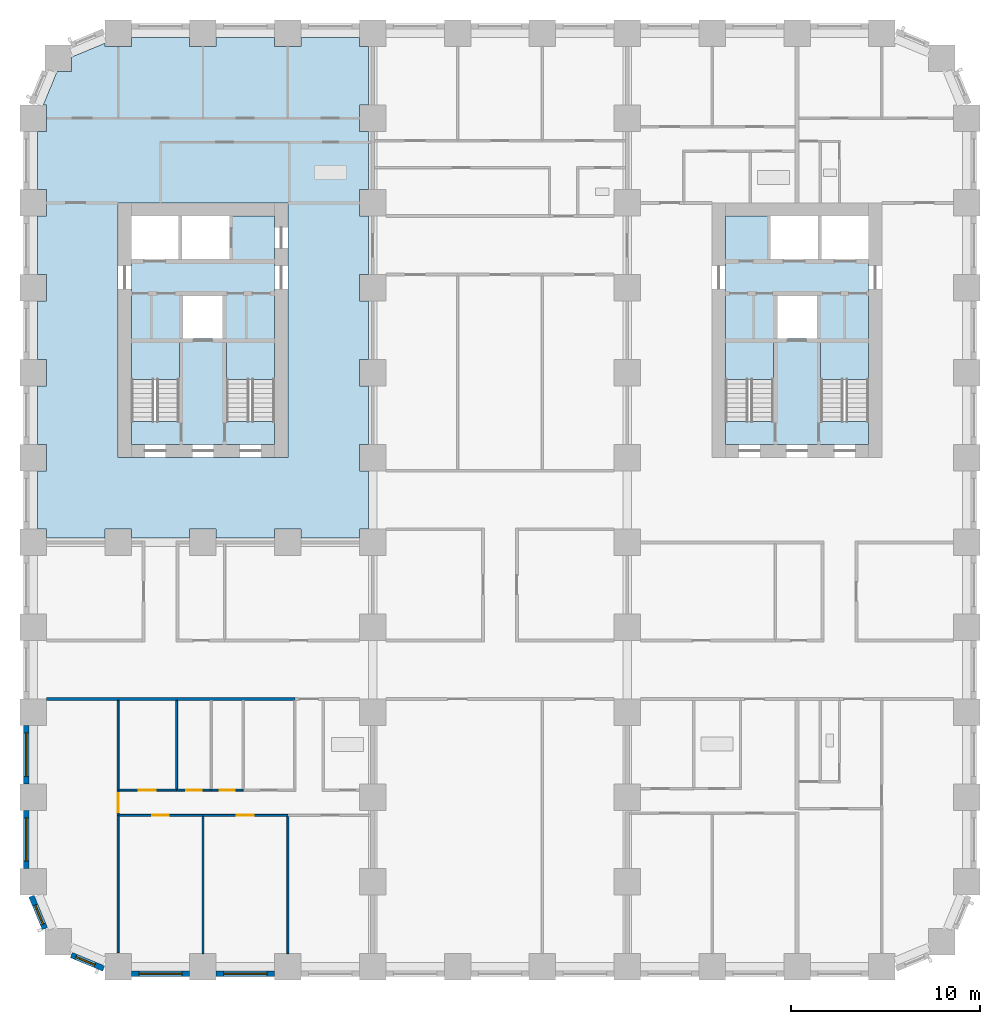
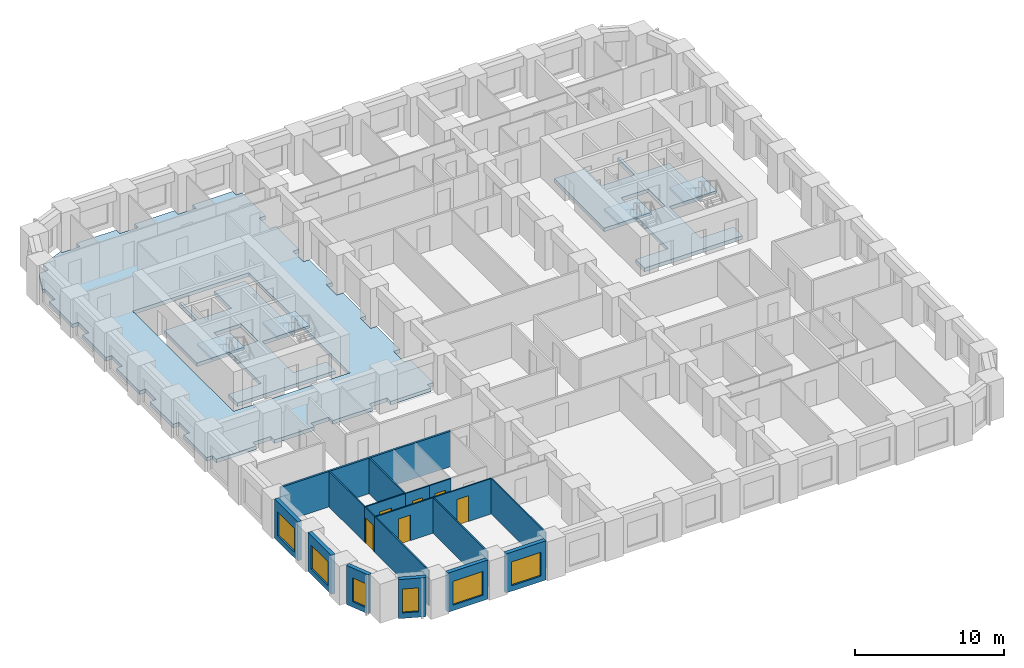
# One storey, part 2 of 13: 18 walls, 7 slabs, 6 doors, 6 windows, 12 openings, 4 elements without a shape of their own.
"""IFC4 building model written with IfcOpenShell, lengths in metres."""

from ifc_helpers import new_model, si_unit, direction, frame, frame_2d, origin, place, context, subcontext, project, spatial, polyline, rectangle, outline, extrude, material, layer, layer_set, type_object, element, fill, aggregate, save


model = new_model("IFC4")

# Units and contexts
model_context = context("Model", 3, precision=1e-05, world=origin(), true_north=direction((0.0, 1.0)))
body_context = subcontext(model_context, "Body", "Model", "MODEL_VIEW")
ifc_project = project(units=[si_unit("LENGTHUNIT", "METRE"), si_unit("AREAUNIT", "SQUARE_METRE"), si_unit("VOLUMEUNIT", "CUBIC_METRE"), si_unit("PLANEANGLEUNIT", "RADIAN"), si_unit("MASSUNIT", "GRAM", prefix="KILO")], contexts=[model_context])

# Site, building, storey
site_placement = place(None, origin())
site = spatial("IfcSite", under=ifc_project, at=site_placement, CompositionType="ELEMENT")
building_placement = place(site_placement, origin())
building = spatial("IfcBuilding", under=site, at=building_placement, Name="Girih Gate Residences", CompositionType="ELEMENT")
storey_placement = place(building_placement, frame((0.0, 0.0, 43.199951171875)))
storey = spatial("IfcBuildingStorey", under=building, at=storey_placement, Name="L10", CompositionType="ELEMENT", Elevation=43.199951171875)

# Slabs
ifc_material_1 = material(Name="Concrete C40/50", Category="concrete")
ifc_layer_1 = layer(ifc_material_1, 0.300048828125)
ifc_layer_set_1 = layer_set([ifc_layer_1], Name="Core floor slab 300")
slab_type_1 = type_object("IfcSlabType", Name="Core floor slab 300", PredefinedType="FLOOR", material=ifc_layer_set_1)
slab_1_placement = place(storey_placement, frame((0.0, 0.0, -0.300048828125)))
element("IfcSlab", 1, at=slab_1_placement, inside=storey, type_object=slab_type_1, Name="L10 W core floor", PredefinedType="FLOOR", context=body_context, shape_type="SweptSolid", body=[
    extrude(outline(polyline([(12.800048828125, 27.699951171875), (5.199951171875, 27.699951171875), (5.199951171875, 28.900634765625), (7.75, 28.900634765625), (7.75, 33.10009765625), (5.199951171875, 33.10009765625), (5.199951171875, 37.5), (7.699951171875, 37.5), (7.699951171875, 39.800048828125), (7.89990234375, 39.800048828125), (7.89990234375, 37.5), (10.39990234375, 37.5), (10.39990234375, 39.800048828125), (12.800048828125, 39.800048828125), (12.800048828125, 33.10009765625), (10.25, 33.10009765625), (10.25, 28.900634765625), (12.800048828125, 28.900634765625), (12.800048828125, 27.699951171875)]), holes=[polyline([(7.949951171875, 33.300048828125), (10.050048828125, 33.300048828125), (10.050048828125, 35.60009765625), (7.949951171875, 35.60009765625), (7.949951171875, 33.300048828125)])]), origin(), (0.0, 0.0, 1.0), 0.300048828125),
])
slab_2_placement = place(storey_placement, frame((0.0, 0.0, -0.300048828125)))
element("IfcSlab", 2, at=slab_2_placement, inside=storey, type_object=slab_type_1, Name="L10 E core floor", PredefinedType="FLOOR", context=body_context, shape_type="SweptSolid", body=[
    extrude(outline(polyline([(44.300048828125, 27.699951171875), (36.699951171875, 27.699951171875), (36.699951171875, 28.900634765625), (39.25, 28.900634765625), (39.25, 33.10009765625), (36.699951171875, 33.10009765625), (36.699951171875, 39.800048828125), (39.10009765625, 39.800048828125), (39.10009765625, 37.5), (41.60009765625, 37.5), (41.60009765625, 39.800048828125), (41.800048828125, 39.800048828125), (41.800048828125, 37.5), (44.300048828125, 37.5), (44.300048828125, 33.10009765625), (41.75, 33.10009765625), (41.75, 28.900634765625), (44.300048828125, 28.900634765625), (44.300048828125, 27.699951171875)]), holes=[polyline([(39.449951171875, 33.300048828125), (41.550048828125, 33.300048828125), (41.550048828125, 35.60009765625), (39.449951171875, 35.60009765625), (39.449951171875, 33.300048828125)])]), origin(), (0.0, 0.0, 1.0), 0.300048828125),
])
ifc_layer_2 = layer(ifc_material_1, 0.300048828125)
ifc_layer_set_2 = layer_set([ifc_layer_2], Name="Floor slab PT 300 Concrete C40/50")
slab_type_2 = type_object("IfcSlabType", Name="Floor slab PT 300 Concrete C40/50", PredefinedType="FLOOR", material=ifc_layer_set_2)
slab_3_placement = place(storey_placement, frame((0.0, 0.0, -0.300048828125)))
element("IfcSlab", 3, at=slab_3_placement, inside=storey, type_object=slab_type_2, Name="Floor slab L10 3", PredefinedType="FLOOR", context=body_context, shape_type="SweptSolid", body=[
    extrude(outline(polyline([(0.22509765625, 26.300048828125), (0.22509765625, 23.199951171875), (0.699951171875, 23.199951171875), (0.699951171875, 22.72509765625), (3.800048828125, 22.72509765625), (3.800048828125, 23.199951171875), (5.199951171875, 23.199951171875), (5.199951171875, 22.72509765625), (8.300048828125, 22.72509765625), (8.300048828125, 23.199951171875), (9.699951171875, 23.199951171875), (9.699951171875, 22.72509765625), (12.800048828125, 22.72509765625), (12.800048828125, 23.199951171875), (14.199951171875, 23.199951171875), (14.199951171875, 22.72509765625), (17.300048828125, 22.72509765625), (17.300048828125, 23.199951171875), (17.77490234375, 23.199951171875), (17.77490234375, 26.300048828125), (17.300048828125, 26.300048828125), (17.300048828125, 27.699951171875), (17.77490234375, 27.699951171875), (17.77490234375, 30.800048828125), (17.300048828125, 30.800048828125), (17.300048828125, 32.199951171875), (17.77490234375, 32.199951171875), (17.77490234375, 35.300048828125), (17.300048828125, 35.300048828125), (17.300048828125, 36.699951171875), (17.77490234375, 36.699951171875), (17.77490234375, 39.800048828125), (17.300048828125, 39.800048828125), (17.300048828125, 41.199951171875), (17.77490234375, 41.199951171875), (17.77490234375, 44.300048828125), (17.300048828125, 44.300048828125), (17.300048828125, 45.699951171875), (17.77490234375, 45.699951171875), (17.77490234375, 48.800048828125), (17.300048828125, 48.800048828125), (17.300048828125, 49.27490234375), (14.199951171875, 49.27490234375), (14.199951171875, 48.800048828125), (12.800048828125, 48.800048828125), (12.800048828125, 49.27490234375), (9.699951171875, 49.27490234375), (9.699951171875, 48.800048828125), (8.300048828125, 48.800048828125), (8.300048828125, 49.27490234375), (5.199951171875, 49.27490234375), (5.199951171875, 48.800048828125), (3.800048828125, 48.800048828125), (3.800048828125, 48.966552734375), (2.01806640625, 48.228271484375), (2.01806640625, 47.48193359375), (1.271728515625, 47.48193359375), (0.533447265625, 45.699951171875), (0.699951171875, 45.699951171875), (0.699951171875, 44.300048828125), (0.22509765625, 44.300048828125), (0.22509765625, 41.199951171875), (0.699951171875, 41.199951171875), (0.699951171875, 39.800048828125), (0.22509765625, 39.800048828125), (0.22509765625, 36.699951171875), (0.699951171875, 36.699951171875), (0.699951171875, 35.300048828125), (0.22509765625, 35.300048828125), (0.22509765625, 32.199951171875), (0.699951171875, 32.199951171875), (0.699951171875, 30.800048828125), (0.22509765625, 30.800048828125), (0.22509765625, 27.699951171875), (0.699951171875, 27.699951171875), (0.699951171875, 26.300048828125), (0.22509765625, 26.300048828125)]), holes=[polyline([(13.5, 40.5), (13.5, 27.0), (4.5, 27.0), (4.5, 40.5), (13.5, 40.5)])]), origin(), (0.0, 0.0, 1.0), 0.300048828125),
])

# Stair, slab
stair_type = type_object("IfcStairType", Name="Exit stair", PredefinedType="HALF_TURN_STAIR", material=ifc_material_1)
stair_1_placement = place(storey_placement, origin())
stair_1 = element("IfcStair", 4, at=stair_1_placement, inside=storey, type_object=stair_type, Name="L10 Exit Stair ST-W1", PredefinedType="HALF_TURN_STAIR")
ifc_layer_3 = layer(ifc_material_1, 0.199951171875)
ifc_layer_set_3 = layer_set([ifc_layer_3], Name="Stair landing 200")
slab_type_3 = type_object("IfcSlabType", Name="Stair landing 200", PredefinedType="LANDING", material=ifc_layer_set_3)
slab_4_placement = place(storey_placement, frame((0.0, 0.0, 1.400146484375)))
slab_4 = element("IfcSlab", 5, at=slab_4_placement, type_object=slab_type_3, Name="ST-W1 landing 1", PredefinedType="LANDING", context=body_context, shape_type="SweptSolid", body=[
    extrude(outline(polyline([(7.75, 31.14990234375), (7.75, 33.10009765625), (5.199951171875, 33.10009765625), (5.199951171875, 31.14990234375), (7.75, 31.14990234375)])), origin(), (0.0, 0.0, 1.0), 0.199951171875),
])
aggregate(stair_1, [slab_4])

stair_2_placement = place(storey_placement, origin())
stair_2 = element("IfcStair", 6, at=stair_2_placement, inside=storey, type_object=stair_type, Name="L10 Exit Stair ST-W2", PredefinedType="HALF_TURN_STAIR")
slab_5_placement = place(storey_placement, frame((0.0, 0.0, 1.400146484375)))
slab_5 = element("IfcSlab", 7, at=slab_5_placement, type_object=slab_type_3, Name="ST-W2 landing 1", PredefinedType="LANDING", context=body_context, shape_type="SweptSolid", body=[
    extrude(outline(polyline([(12.800048828125, 31.14990234375), (12.800048828125, 33.10009765625), (10.25, 33.10009765625), (10.25, 31.14990234375), (12.800048828125, 31.14990234375)])), origin(), (0.0, 0.0, 1.0), 0.199951171875),
])
aggregate(stair_2, [slab_5])

stair_3_placement = place(storey_placement, origin())
stair_3 = element("IfcStair", 8, at=stair_3_placement, inside=storey, type_object=stair_type, Name="L10 Exit Stair ST-E1", PredefinedType="HALF_TURN_STAIR")
slab_6_placement = place(storey_placement, frame((0.0, 0.0, 1.400146484375)))
slab_6 = element("IfcSlab", 9, at=slab_6_placement, type_object=slab_type_3, Name="ST-E1 landing 1", PredefinedType="LANDING", context=body_context, shape_type="SweptSolid", body=[
    extrude(outline(polyline([(44.300048828125, 31.14990234375), (44.300048828125, 33.10009765625), (41.75, 33.10009765625), (41.75, 31.14990234375), (44.300048828125, 31.14990234375)])), origin(), (0.0, 0.0, 1.0), 0.199951171875),
])
aggregate(stair_3, [slab_6])

stair_4_placement = place(storey_placement, origin())
stair_4 = element("IfcStair", 10, at=stair_4_placement, inside=storey, type_object=stair_type, Name="L10 Exit Stair ST-E2", PredefinedType="HALF_TURN_STAIR")
slab_7_placement = place(storey_placement, frame((0.0, 0.0, 1.400146484375)))
slab_7 = element("IfcSlab", 11, at=slab_7_placement, type_object=slab_type_3, Name="ST-E2 landing 1", PredefinedType="LANDING", context=body_context, shape_type="SweptSolid", body=[
    extrude(outline(polyline([(39.25, 31.14990234375), (39.25, 33.10009765625), (36.699951171875, 33.10009765625), (36.699951171875, 31.14990234375), (39.25, 31.14990234375)])), origin(), (0.0, 0.0, 1.0), 0.199951171875),
])
aggregate(stair_4, [slab_7])

# Walls
ifc_material_2 = material(Name="Gypsum board on steel studs", Category="steel")
ifc_layer_4 = layer(ifc_material_2, 0.14990234375)
ifc_layer_set_4 = layer_set([ifc_layer_4], Name="Compartment wall 150 mm")
wall_type_1 = type_object("IfcWallType", Name="Compartment wall 150 mm", PredefinedType="PARTITIONING", material=ifc_layer_set_4)
wall_1_placement = place(storey_placement, frame((0.699951171875, 14.199951171875, 0.0), z_axis=(0.0, 0.0, 1.0), x_axis=(1.0, 0.0, 0.0)))
element("IfcWall", 12, at=wall_1_placement, inside=storey, type_object=wall_type_1, Name="L10 partition", PredefinedType="PARTITIONING", context=body_context, shape_type="SweptSolid", body=[
    extrude(rectangle(XDim=13.175048828125, YDim=0.14990234375, at=frame_2d((6.58740234375, 0.0))), origin(), (0.0, 0.0, 1.0), 2.900146484375),
])
ifc_layer_5 = layer(ifc_material_2, 0.10009765625)
ifc_layer_set_5 = layer_set([ifc_layer_5], Name="Partition 100 mm")
wall_type_2 = type_object("IfcWallType", Name="Partition 100 mm", PredefinedType="PARTITIONING", material=ifc_layer_set_5)
wall_2_placement = place(storey_placement, frame((9.0, 0.699951171875, 0.0), z_axis=(0.0, 0.0, 1.0), x_axis=(0.0, 1.0, 0.0)))
element("IfcWall", 13, at=wall_2_placement, inside=storey, type_object=wall_type_2, Name="L10 partition", PredefinedType="PARTITIONING", context=body_context, shape_type="SweptSolid", body=[
    extrude(rectangle(XDim=7.280029296875, YDim=0.10009765625, at=frame_2d((3.64013671875, 0.0))), origin(), (0.0, 0.0, 1.0), 2.900146484375),
])

# Wall, opening, door
wall_3_placement = place(storey_placement, frame((9.0, 8.030029296875, 0.0), z_axis=(0.0, 0.0, 1.0), x_axis=(-1.0, 0.0, 0.0)))
wall_3 = element("IfcWall", 14, at=wall_3_placement, inside=storey, type_object=wall_type_2, Name="L10 partition", PredefinedType="PARTITIONING", context=body_context, shape_type="SweptSolid", body=[
    extrude(rectangle(XDim=4.449951171875, YDim=0.10009765625, at=frame_2d((2.22509765625, 0.0))), origin(), (0.0, 0.0, 1.0), 2.900146484375),
])
opening_1_placement = place(wall_3_placement, frame((1.800048828125, 0.0, 0.0)))
opening_1 = element("IfcOpeningElement", 15, at=opening_1_placement, cuts=wall_3, Name="Opening A10-002", PredefinedType="OPENING", context=body_context, shape_type="SweptSolid", body=[
    extrude(rectangle(XDim=0.89990234375, YDim=2.10009765625, at=frame_2d((0.449951171875, 1.050048828125))), frame((0.0, 0.06005859375, 0.0), z_axis=(0.0, -1.0, 0.0), x_axis=(1.0, 0.0, 0.0)), (0.0, 0.0, 1.0), 0.1201171875),
])
ifc_material_3 = material(Name="Timber", Category="wood")
door_type_1 = type_object("IfcDoorType", Name="Bedroom door 900x2100", OperationType="NOTDEFINED", PredefinedType="DOOR", material=ifc_material_3)
door_1_placement = place(opening_1_placement, origin())
door_1 = element("IfcDoor", 16, at=door_1_placement, inside=storey, type_object=door_type_1, Name="Door A10-002", OperationType="SINGLE_SWING_RIGHT", OverallHeight=2.10009765625, OverallWidth=0.89990234375, PredefinedType="DOOR", context=body_context, shape_type="SweptSolid", body=[
    extrude(rectangle(XDim=0.89990234375, YDim=2.10009765625, at=frame_2d((0.449951171875, 1.050048828125))), frame((0.0, 0.02490234375, 0.0), z_axis=(0.0, -1.0, 0.0), x_axis=(1.0, 0.0, 0.0)), (0.0, 0.0, 1.0), 0.050048828125),
])
fill(opening_1, door_1)

# Walls
wall_4_placement = place(storey_placement, frame((4.5, 0.757568359375, 0.0), z_axis=(0.0, 0.0, 1.0), x_axis=(0.0, 1.0, 0.0)))
element("IfcWall", 17, at=wall_4_placement, inside=storey, type_object=wall_type_2, Name="L10 partition", PredefinedType="PARTITIONING", context=body_context, shape_type="SweptSolid", body=[
    extrude(rectangle(XDim=7.2724609375, YDim=0.10009765625, at=frame_2d((3.63623046875, 0.0))), origin(), (0.0, 0.0, 1.0), 2.900146484375),
])
wall_5_placement = place(storey_placement, frame((13.5, 0.699951171875, 0.0), z_axis=(0.0, 0.0, 1.0), x_axis=(0.0, 1.0, 0.0)))
element("IfcWall", 18, at=wall_5_placement, inside=storey, type_object=wall_type_2, Name="L10 partition", PredefinedType="PARTITIONING", context=body_context, shape_type="SweptSolid", body=[
    extrude(rectangle(XDim=7.280029296875, YDim=0.10009765625, at=frame_2d((3.64013671875, 0.0))), origin(), (0.0, 0.0, 1.0), 2.900146484375),
])

# Wall, opening, door
wall_6_placement = place(storey_placement, frame((13.5, 8.030029296875, 0.0), z_axis=(0.0, 0.0, 1.0), x_axis=(-1.0, 0.0, 0.0)))
wall_6 = element("IfcWall", 19, at=wall_6_placement, inside=storey, type_object=wall_type_2, Name="L10 partition", PredefinedType="PARTITIONING", context=body_context, shape_type="SweptSolid", body=[
    extrude(rectangle(XDim=4.5, YDim=0.10009765625, at=frame_2d((2.25, 0.0))), origin(), (0.0, 0.0, 1.0), 2.900146484375),
])
opening_2_placement = place(wall_6_placement, frame((1.800048828125, 0.0, 0.0)))
opening_2 = element("IfcOpeningElement", 20, at=opening_2_placement, cuts=wall_6, Name="Opening A10-003", PredefinedType="OPENING", context=body_context, shape_type="SweptSolid", body=[
    extrude(rectangle(XDim=0.89990234375, YDim=2.10009765625, at=frame_2d((0.449951171875, 1.050048828125))), frame((0.0, 0.06005859375, 0.0), z_axis=(0.0, -1.0, 0.0), x_axis=(1.0, 0.0, 0.0)), (0.0, 0.0, 1.0), 0.1201171875),
])
door_2_placement = place(opening_2_placement, origin())
door_2 = element("IfcDoor", 21, at=door_2_placement, inside=storey, type_object=door_type_1, Name="Door A10-003", OperationType="SINGLE_SWING_LEFT", OverallHeight=2.10009765625, OverallWidth=0.89990234375, PredefinedType="DOOR", context=body_context, shape_type="SweptSolid", body=[
    extrude(rectangle(XDim=0.89990234375, YDim=2.10009765625, at=frame_2d((0.449951171875, 1.050048828125))), frame((0.0, 0.02490234375, 0.0), z_axis=(0.0, -1.0, 0.0), x_axis=(1.0, 0.0, 0.0)), (0.0, 0.0, 1.0), 0.050048828125),
])
fill(opening_2, door_2)

wall_7_placement = place(storey_placement, frame((4.550048828125, 9.3701171875, 0.0), z_axis=(0.0, 0.0, 1.0), x_axis=(1.0, 0.0, 0.0)))
wall_7 = element("IfcWall", 22, at=wall_7_placement, inside=storey, type_object=wall_type_2, Name="L10 partition", PredefinedType="PARTITIONING", context=body_context, shape_type="SweptSolid", body=[
    extrude(rectangle(XDim=3.056640625, YDim=0.10009765625, at=frame_2d((1.5283203125, 0.0))), origin(), (0.0, 0.0, 1.0), 2.900146484375),
])
opening_3_placement = place(wall_7_placement, frame((1.05322265625, 0.0, 0.0)))
opening_3 = element("IfcOpeningElement", 23, at=opening_3_placement, cuts=wall_7, Name="Opening A10-006", PredefinedType="OPENING", context=body_context, shape_type="SweptSolid", body=[
    extrude(rectangle(XDim=0.89990234375, YDim=2.10009765625, at=frame_2d((0.449951171875, 1.050048828125))), frame((0.0, 0.06005859375, 0.0), z_axis=(0.0, -1.0, 0.0), x_axis=(1.0, 0.0, 0.0)), (0.0, 0.0, 1.0), 0.1201171875),
])
door_type_2 = type_object("IfcDoorType", Name="Kitchen door 900x2100", OperationType="NOTDEFINED", PredefinedType="DOOR", material=ifc_material_3)
door_3_placement = place(opening_3_placement, origin())
door_3 = element("IfcDoor", 24, at=door_3_placement, inside=storey, type_object=door_type_2, Name="Door A10-006", OperationType="SINGLE_SWING_LEFT", OverallHeight=2.10009765625, OverallWidth=0.89990234375, PredefinedType="DOOR", context=body_context, shape_type="SweptSolid", body=[
    extrude(rectangle(XDim=0.89990234375, YDim=2.10009765625, at=frame_2d((0.449951171875, 1.050048828125))), frame((0.0, 0.02490234375, 0.0), z_axis=(0.0, -1.0, 0.0), x_axis=(1.0, 0.0, 0.0)), (0.0, 0.0, 1.0), 0.050048828125),
])
fill(opening_3, door_3)

wall_8_placement = place(storey_placement, frame((4.5, 8.030029296875, 0.0), z_axis=(0.0, 0.0, 1.0), x_axis=(0.0, 1.0, 0.0)))
wall_8 = element("IfcWall", 25, at=wall_8_placement, inside=storey, type_object=wall_type_2, Name="L10 partition", PredefinedType="PARTITIONING", context=body_context, shape_type="SweptSolid", body=[
    extrude(rectangle(XDim=1.340087890625, YDim=0.10009765625, at=frame_2d((0.669921875, 0.0))), origin(), (0.0, 0.0, 1.0), 2.900146484375),
])
opening_4_placement = place(wall_8_placement, frame((0.169921875, 0.0, 0.0)))
opening_4 = element("IfcOpeningElement", 26, at=opening_4_placement, cuts=wall_8, Name="Opening A10-007", PredefinedType="OPENING", context=body_context, shape_type="SweptSolid", body=[
    extrude(rectangle(XDim=1.0, YDim=2.10009765625, at=frame_2d((0.5, 1.050048828125))), frame((0.0, 0.06005859375, 0.0), z_axis=(0.0, -1.0, 0.0), x_axis=(1.0, 0.0, 0.0)), (0.0, 0.0, 1.0), 0.1201171875),
])
door_type_3 = type_object("IfcDoorType", Name="Living room door 1000x2100", OperationType="NOTDEFINED", PredefinedType="DOOR", material=ifc_material_3)
door_4_placement = place(opening_4_placement, origin())
door_4 = element("IfcDoor", 27, at=door_4_placement, inside=storey, type_object=door_type_3, Name="Door A10-007", OperationType="SINGLE_SWING_RIGHT", OverallHeight=2.10009765625, OverallWidth=1.0, PredefinedType="DOOR", context=body_context, shape_type="SweptSolid", body=[
    extrude(rectangle(XDim=1.0, YDim=2.10009765625, at=frame_2d((0.5, 1.050048828125))), frame((0.0, 0.02490234375, 0.0), z_axis=(0.0, -1.0, 0.0), x_axis=(1.0, 0.0, 0.0)), (0.0, 0.0, 1.0), 0.050048828125),
])
fill(opening_4, door_4)

wall_9_placement = place(storey_placement, frame((9.4423828125, 9.3701171875, 0.0), z_axis=(0.0, 0.0, 1.0), x_axis=(1.0, 0.0, 0.0)))
wall_9 = element("IfcWall", 28, at=wall_9_placement, inside=storey, type_object=wall_type_2, Name="L10 partition", PredefinedType="PARTITIONING", context=body_context, shape_type="SweptSolid", body=[
    extrude(rectangle(XDim=1.689453125, YDim=0.10009765625, at=frame_2d((0.8447265625, 0.0))), origin(), (0.0, 0.0, 1.0), 2.900146484375),
])
opening_5_placement = place(wall_9_placement, frame((0.44482421875, 0.0, 0.0)))
opening_5 = element("IfcOpeningElement", 29, at=opening_5_placement, cuts=wall_9, Name="Opening A10-008", PredefinedType="OPENING", context=body_context, shape_type="SweptSolid", body=[
    extrude(rectangle(XDim=0.800048828125, YDim=2.10009765625, at=frame_2d((0.39990234375, 1.050048828125))), frame((0.0, 0.06005859375, 0.0), z_axis=(0.0, -1.0, 0.0), x_axis=(1.0, 0.0, 0.0)), (0.0, 0.0, 1.0), 0.1201171875),
])
door_type_4 = type_object("IfcDoorType", Name="Store door 800x2100", OperationType="NOTDEFINED", PredefinedType="DOOR", material=ifc_material_3)
door_5_placement = place(opening_5_placement, origin())
door_5 = element("IfcDoor", 30, at=door_5_placement, inside=storey, type_object=door_type_4, Name="Door A10-008", OperationType="SINGLE_SWING_LEFT", OverallHeight=2.10009765625, OverallWidth=0.800048828125, PredefinedType="DOOR", context=body_context, shape_type="SweptSolid", body=[
    extrude(rectangle(XDim=0.800048828125, YDim=2.10009765625, at=frame_2d((0.39990234375, 1.050048828125))), frame((0.0, 0.02490234375, 0.0), z_axis=(0.0, -1.0, 0.0), x_axis=(1.0, 0.0, 0.0)), (0.0, 0.0, 1.0), 0.050048828125),
])
fill(opening_5, door_5)

wall_10_placement = place(storey_placement, frame((7.606689453125, 9.3701171875, 0.0), z_axis=(0.0, 0.0, 1.0), x_axis=(1.0, 0.0, 0.0)))
wall_10 = element("IfcWall", 31, at=wall_10_placement, inside=storey, type_object=wall_type_2, Name="L10 partition", PredefinedType="PARTITIONING", context=body_context, shape_type="SweptSolid", body=[
    extrude(rectangle(XDim=1.835693359375, YDim=0.10009765625, at=frame_2d((0.91796875, 0.0))), origin(), (0.0, 0.0, 1.0), 2.900146484375),
])
opening_6_placement = place(wall_10_placement, frame((0.517822265625, 0.0, 0.0)))
opening_6 = element("IfcOpeningElement", 32, at=opening_6_placement, cuts=wall_10, Name="Opening A10-009", PredefinedType="OPENING", context=body_context, shape_type="SweptSolid", body=[
    extrude(rectangle(XDim=0.800048828125, YDim=2.10009765625, at=frame_2d((0.39990234375, 1.050048828125))), frame((0.0, 0.06005859375, 0.0), z_axis=(0.0, -1.0, 0.0), x_axis=(1.0, 0.0, 0.0)), (0.0, 0.0, 1.0), 0.1201171875),
])
door_6_placement = place(opening_6_placement, origin())
door_6 = element("IfcDoor", 33, at=door_6_placement, inside=storey, type_object=door_type_4, Name="Door A10-009", OperationType="SINGLE_SWING_RIGHT", OverallHeight=2.10009765625, OverallWidth=0.800048828125, PredefinedType="DOOR", context=body_context, shape_type="SweptSolid", body=[
    extrude(rectangle(XDim=0.800048828125, YDim=2.10009765625, at=frame_2d((0.39990234375, 1.050048828125))), frame((0.0, 0.02490234375, 0.0), z_axis=(0.0, -1.0, 0.0), x_axis=(1.0, 0.0, 0.0)), (0.0, 0.0, 1.0), 0.050048828125),
])
fill(opening_6, door_6)

# Walls
wall_11_placement = place(storey_placement, frame((4.5, 9.3701171875, 0.0), z_axis=(0.0, 0.0, 1.0), x_axis=(0.0, 1.0, 0.0)))
element("IfcWall", 34, at=wall_11_placement, inside=storey, type_object=wall_type_2, Name="L10 partition", PredefinedType="PARTITIONING", context=body_context, shape_type="SweptSolid", body=[
    extrude(rectangle(XDim=4.7548828125, YDim=0.10009765625, at=frame_2d((2.37744140625, 0.0))), origin(), (0.0, 0.0, 1.0), 2.900146484375),
])
wall_12_placement = place(storey_placement, frame((7.60693359375, 9.419921875, 0.0), z_axis=(0.0, 0.0, 1.0), x_axis=(0.0, 1.0, 0.0)))
element("IfcWall", 35, at=wall_12_placement, inside=storey, type_object=wall_type_2, Name="L10 partition", PredefinedType="PARTITIONING", context=body_context, shape_type="SweptSolid", body=[
    extrude(rectangle(XDim=4.705078125, YDim=0.10009765625, at=frame_2d((2.3525390625, 0.0))), origin(), (0.0, 0.0, 1.0), 2.900146484375),
])

# Wall, opening, window
ifc_material_4 = material(Name="Precast concrete C50/60", Category="concrete")
ifc_layer_6 = layer(ifc_material_4, 0.080078125, Name="Outer leaf")
ifc_material_5 = material(Name="Rigid PIR insulation")
ifc_layer_7 = layer(ifc_material_5, 0.14990234375, Name="Insulation")
ifc_material_6 = material(Name="Precast concrete C40/50", Category="concrete")
ifc_layer_8 = layer(ifc_material_6, 0.070068359375, Name="Inner leaf")
ifc_layer_set_6 = layer_set([ifc_layer_6, ifc_layer_7, ifc_layer_8], Name="Precast concrete C50/60 external wall 300")
wall_type_3 = type_object("IfcWallType", Name="Precast concrete C50/60 external wall 300", PredefinedType="SOLIDWALL", material=ifc_layer_set_6)
wall_13_placement = place(storey_placement, frame((0.62158203125, 2.01953125, 0.0), z_axis=(0.0, 0.0, 1.0), x_axis=(-0.38262540684, 0.923903565336, 0.0)))
wall_13 = element("IfcWall", 36, at=wall_13_placement, inside=storey, type_object=wall_type_3, Name="External wall SW0000_0045.0", PredefinedType="SOLIDWALL", context=body_context, shape_type="SweptSolid", body=[
    extrude(rectangle(XDim=1.864990234375, YDim=0.300048828125, at=frame_2d((0.9326171875, 0.0))), origin(), (0.0, 0.0, 1.0), 3.199951171875),
])
opening_7_placement = place(wall_13_placement, frame((0.257568359375, 0.0, 0.449951171875)))
opening_7 = element("IfcOpeningElement", 37, at=opening_7_placement, cuts=wall_13, Name="Opening W-2C", PredefinedType="OPENING", context=body_context, shape_type="SweptSolid", body=[
    extrude(rectangle(XDim=1.10009765625, YDim=1.949951171875, at=frame_2d((0.550048828125, 0.97509765625))), frame((0.0, 0.159912109375, 0.0), z_axis=(0.0, -1.0, 0.0), x_axis=(1.0, 0.0, 0.0)), (0.0, 0.0, 1.0), 0.320068359375),
])
ifc_material_7 = material(Name="Double glazing in aluminium frame", Category="aluminium")
window_type_1 = type_object("IfcWindowType", Name="Window W-2C 1100x1950", PartitioningType="SINGLE_PANEL", PredefinedType="WINDOW", material=ifc_material_7)
window_1_placement = place(opening_7_placement, origin())
window_1 = element("IfcWindow", 38, at=window_1_placement, inside=storey, type_object=window_type_1, Name="Window W-2C SW0000_0045.0", OverallHeight=1.949951171875, OverallWidth=1.10009765625, PartitioningType="SINGLE_PANEL", PredefinedType="WINDOW", context=body_context, shape_type="SweptSolid", body=[
    extrude(rectangle(XDim=1.10009765625, YDim=1.949951171875, at=frame_2d((0.550048828125, 0.97509765625))), frame((0.0, 0.030029296875, 0.0), z_axis=(0.0, -1.0, 0.0), x_axis=(1.0, 0.0, 0.0)), (0.0, 0.0, 1.0), 0.06005859375),
])
fill(opening_7, window_1)

wall_14_placement = place(storey_placement, frame((3.74267578125, -0.09228515625, 0.0), z_axis=(0.0, 0.0, 1.0), x_axis=(-0.923857286003, 0.382737135771, 0.0)))
wall_14 = element("IfcWall", 39, at=wall_14_placement, inside=storey, type_object=wall_type_3, Name="External wall SW0013_0013.0", PredefinedType="SOLIDWALL", context=body_context, shape_type="SweptSolid", body=[
    extrude(rectangle(XDim=1.865234375, YDim=0.300048828125, at=frame_2d((0.9326171875, 0.0))), origin(), (0.0, 0.0, 1.0), 3.199951171875),
])
opening_8_placement = place(wall_14_placement, frame((0.507568359375, 0.0, 0.449951171875)))
opening_8 = element("IfcOpeningElement", 40, at=opening_8_placement, cuts=wall_14, Name="Opening W-2C", PredefinedType="OPENING", context=body_context, shape_type="SweptSolid", body=[
    extrude(rectangle(XDim=1.10009765625, YDim=1.949951171875, at=frame_2d((0.550048828125, 0.97509765625))), frame((0.0, 0.159912109375, 0.0), z_axis=(0.0, -1.0, 0.0), x_axis=(1.0, 0.0, 0.0)), (0.0, 0.0, 1.0), 0.320068359375),
])
window_2_placement = place(opening_8_placement, origin())
window_2 = element("IfcWindow", 41, at=window_2_placement, inside=storey, type_object=window_type_1, Name="Window W-2C SW0013_0013.0", OverallHeight=1.949951171875, OverallWidth=1.10009765625, PartitioningType="SINGLE_PANEL", PredefinedType="WINDOW", context=body_context, shape_type="SweptSolid", body=[
    extrude(rectangle(XDim=1.10009765625, YDim=1.949951171875, at=frame_2d((0.550048828125, 0.97509765625))), frame((0.0, 0.030029296875, 0.0), z_axis=(0.0, -1.0, 0.0), x_axis=(1.0, 0.0, 0.0)), (0.0, 0.0, 1.0), 0.06005859375),
])
fill(opening_8, window_2)

wall_15_placement = place(storey_placement, frame((8.300048828125, -0.375, 0.0), z_axis=(0.0, 0.0, 1.0), x_axis=(-1.0, 0.0, 0.0)))
wall_15 = element("IfcWall", 42, at=wall_15_placement, inside=storey, type_object=wall_type_3, Name="External wall S0045_0000.0", PredefinedType="SOLIDWALL", context=body_context, shape_type="SweptSolid", body=[
    extrude(rectangle(XDim=3.10009765625, YDim=0.300048828125, at=frame_2d((1.550048828125, 0.0))), origin(), (0.0, 0.0, 1.0), 3.199951171875),
])
opening_9_placement = place(wall_15_placement, frame((0.39990234375, 0.0, 0.449951171875)))
opening_9 = element("IfcOpeningElement", 43, at=opening_9_placement, cuts=wall_15, Name="Opening W-1", PredefinedType="OPENING", context=body_context, shape_type="SweptSolid", body=[
    extrude(rectangle(XDim=2.300048828125, YDim=1.949951171875, at=frame_2d((1.14990234375, 0.97509765625))), frame((0.0, 0.159912109375, 0.0), z_axis=(0.0, -1.0, 0.0), x_axis=(1.0, 0.0, 0.0)), (0.0, 0.0, 1.0), 0.320068359375),
])
window_type_2 = type_object("IfcWindowType", Name="Window W-1 2300x1950", PartitioningType="SINGLE_PANEL", PredefinedType="WINDOW", material=ifc_material_7)
window_3_placement = place(opening_9_placement, origin())
window_3 = element("IfcWindow", 44, at=window_3_placement, inside=storey, type_object=window_type_2, Name="Window W-1 S0045_0000.0", OverallHeight=1.949951171875, OverallWidth=2.300048828125, PartitioningType="SINGLE_PANEL", PredefinedType="WINDOW", context=body_context, shape_type="SweptSolid", body=[
    extrude(rectangle(XDim=2.300048828125, YDim=1.949951171875, at=frame_2d((1.14990234375, 0.97509765625))), frame((0.0, 0.030029296875, 0.0), z_axis=(0.0, -1.0, 0.0), x_axis=(1.0, 0.0, 0.0)), (0.0, 0.0, 1.0), 0.06005859375),
])
fill(opening_9, window_3)

wall_16_placement = place(storey_placement, frame((12.800048828125, -0.375, 0.0), z_axis=(0.0, 0.0, 1.0), x_axis=(-1.0, 0.0, 0.0)))
wall_16 = element("IfcWall", 45, at=wall_16_placement, inside=storey, type_object=wall_type_3, Name="External wall S0045_0000.1", PredefinedType="SOLIDWALL", context=body_context, shape_type="SweptSolid", body=[
    extrude(rectangle(XDim=3.10009765625, YDim=0.300048828125, at=frame_2d((1.550048828125, 0.0))), origin(), (0.0, 0.0, 1.0), 3.199951171875),
])
opening_10_placement = place(wall_16_placement, frame((0.39990234375, 0.0, 0.449951171875)))
opening_10 = element("IfcOpeningElement", 46, at=opening_10_placement, cuts=wall_16, Name="Opening W-1", PredefinedType="OPENING", context=body_context, shape_type="SweptSolid", body=[
    extrude(rectangle(XDim=2.300048828125, YDim=1.949951171875, at=frame_2d((1.14990234375, 0.97509765625))), frame((0.0, 0.159912109375, 0.0), z_axis=(0.0, -1.0, 0.0), x_axis=(1.0, 0.0, 0.0)), (0.0, 0.0, 1.0), 0.320068359375),
])
window_4_placement = place(opening_10_placement, origin())
window_4 = element("IfcWindow", 47, at=window_4_placement, inside=storey, type_object=window_type_2, Name="Window W-1 S0045_0000.1", OverallHeight=1.949951171875, OverallWidth=2.300048828125, PartitioningType="SINGLE_PANEL", PredefinedType="WINDOW", context=body_context, shape_type="SweptSolid", body=[
    extrude(rectangle(XDim=2.300048828125, YDim=1.949951171875, at=frame_2d((1.14990234375, 0.97509765625))), frame((0.0, 0.030029296875, 0.0), z_axis=(0.0, -1.0, 0.0), x_axis=(1.0, 0.0, 0.0)), (0.0, 0.0, 1.0), 0.06005859375),
])
fill(opening_10, window_4)

wall_17_placement = place(storey_placement, frame((-0.375, 9.699951171875, 0.0), z_axis=(0.0, 0.0, 1.0), x_axis=(0.0, 1.0, 0.0)))
wall_17 = element("IfcWall", 48, at=wall_17_placement, inside=storey, type_object=wall_type_3, Name="External wall W0000_0450.7", PredefinedType="SOLIDWALL", context=body_context, shape_type="SweptSolid", body=[
    extrude(rectangle(XDim=3.10009765625, YDim=0.300048828125, at=frame_2d((1.550048828125, 0.0))), origin(), (0.0, 0.0, 1.0), 3.199951171875),
])
opening_11_placement = place(wall_17_placement, frame((0.39990234375, 0.0, 0.449951171875)))
opening_11 = element("IfcOpeningElement", 49, at=opening_11_placement, cuts=wall_17, Name="Opening W-1", PredefinedType="OPENING", context=body_context, shape_type="SweptSolid", body=[
    extrude(rectangle(XDim=2.300048828125, YDim=1.949951171875, at=frame_2d((1.14990234375, 0.97509765625))), frame((0.0, 0.159912109375, 0.0), z_axis=(0.0, -1.0, 0.0), x_axis=(1.0, 0.0, 0.0)), (0.0, 0.0, 1.0), 0.320068359375),
])
window_5_placement = place(opening_11_placement, origin())
window_5 = element("IfcWindow", 50, at=window_5_placement, inside=storey, type_object=window_type_2, Name="Window W-1 W0000_0450.7", OverallHeight=1.949951171875, OverallWidth=2.300048828125, PartitioningType="SINGLE_PANEL", PredefinedType="WINDOW", context=body_context, shape_type="SweptSolid", body=[
    extrude(rectangle(XDim=2.300048828125, YDim=1.949951171875, at=frame_2d((1.14990234375, 0.97509765625))), frame((0.0, 0.030029296875, 0.0), z_axis=(0.0, -1.0, 0.0), x_axis=(1.0, 0.0, 0.0)), (0.0, 0.0, 1.0), 0.06005859375),
])
fill(opening_11, window_5)

wall_18_placement = place(storey_placement, frame((-0.375, 5.199951171875, 0.0), z_axis=(0.0, 0.0, 1.0), x_axis=(0.0, 1.0, 0.0)))
wall_18 = element("IfcWall", 51, at=wall_18_placement, inside=storey, type_object=wall_type_3, Name="External wall W0000_0450.8", PredefinedType="SOLIDWALL", context=body_context, shape_type="SweptSolid", body=[
    extrude(rectangle(XDim=3.10009765625, YDim=0.300048828125, at=frame_2d((1.550048828125, 0.0))), origin(), (0.0, 0.0, 1.0), 3.199951171875),
])
opening_12_placement = place(wall_18_placement, frame((0.39990234375, 0.0, 0.449951171875)))
opening_12 = element("IfcOpeningElement", 52, at=opening_12_placement, cuts=wall_18, Name="Opening W-1", PredefinedType="OPENING", context=body_context, shape_type="SweptSolid", body=[
    extrude(rectangle(XDim=2.300048828125, YDim=1.949951171875, at=frame_2d((1.14990234375, 0.97509765625))), frame((0.0, 0.159912109375, 0.0), z_axis=(0.0, -1.0, 0.0), x_axis=(1.0, 0.0, 0.0)), (0.0, 0.0, 1.0), 0.320068359375),
])
window_6_placement = place(opening_12_placement, origin())
window_6 = element("IfcWindow", 53, at=window_6_placement, inside=storey, type_object=window_type_2, Name="Window W-1 W0000_0450.8", OverallHeight=1.949951171875, OverallWidth=2.300048828125, PartitioningType="SINGLE_PANEL", PredefinedType="WINDOW", context=body_context, shape_type="SweptSolid", body=[
    extrude(rectangle(XDim=2.300048828125, YDim=1.949951171875, at=frame_2d((1.14990234375, 0.97509765625))), frame((0.0, 0.030029296875, 0.0), z_axis=(0.0, -1.0, 0.0), x_axis=(1.0, 0.0, 0.0)), (0.0, 0.0, 1.0), 0.06005859375),
])
fill(opening_12, window_6)

save(model, "model.ifc")
